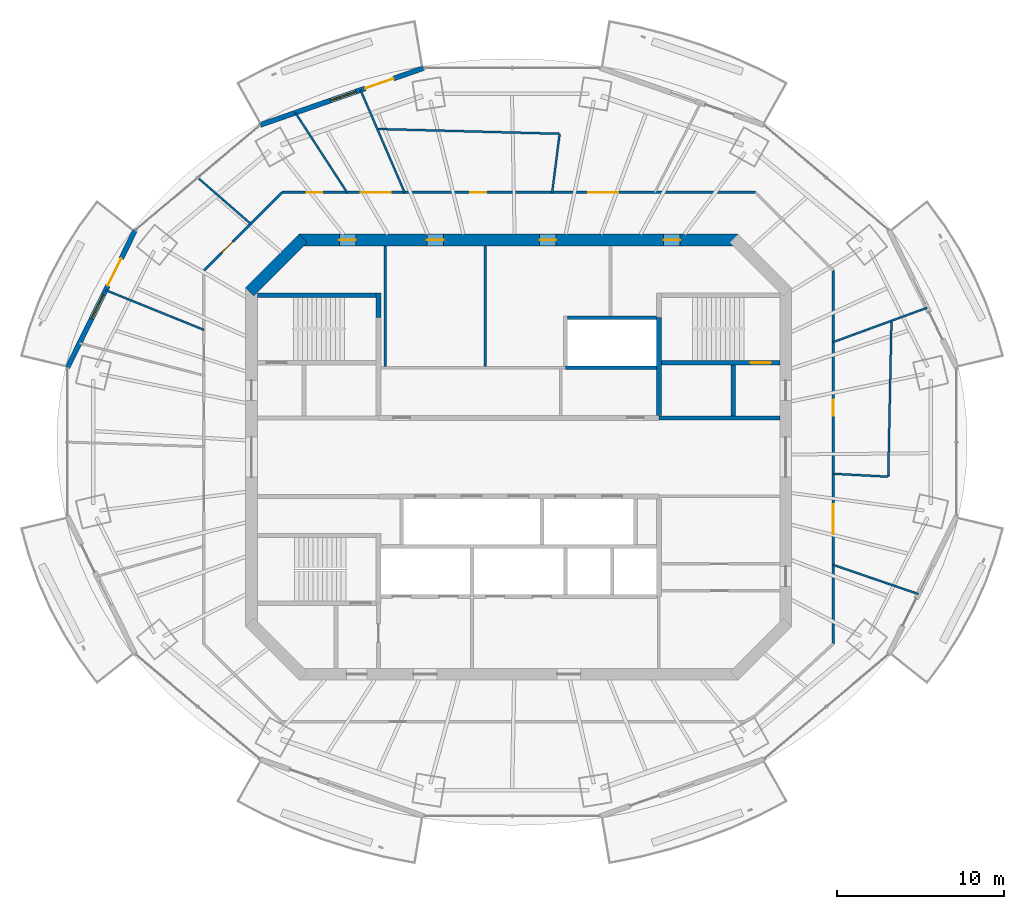
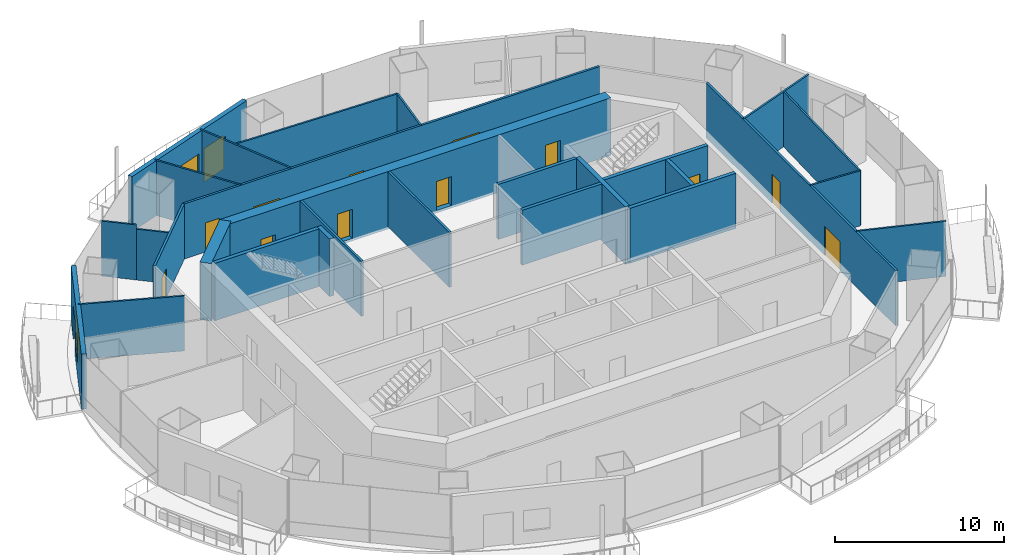
# One storey, part 10 of 16: 28 walls, 14 doors, 2 windows, 16 openings.
"""IFC4 building model written with IfcOpenShell, lengths in metres."""

from ifc_helpers import new_model, si_unit, direction, frame, frame_2d, origin, place, context, subcontext, project, spatial, rectangle, extrude, material, layer, layer_set, type_object, element, fill, save


model = new_model("IFC4")

# Units and contexts
model_context = context("Model", 3, precision=1e-05, world=origin(), true_north=direction((0.0, 1.0)))
body_context = subcontext(model_context, "Body", "Model", "MODEL_VIEW")
ifc_project = project(units=[si_unit("LENGTHUNIT", "METRE"), si_unit("AREAUNIT", "SQUARE_METRE"), si_unit("VOLUMEUNIT", "CUBIC_METRE"), si_unit("PLANEANGLEUNIT", "RADIAN"), si_unit("MASSUNIT", "GRAM", prefix="KILO")], contexts=[model_context])

# Site, building, storey
site_placement = place(None, origin())
site = spatial("IfcSite", under=ifc_project, at=site_placement, CompositionType="ELEMENT")
building_placement = place(site_placement, origin())
building = spatial("IfcBuilding", under=site, at=building_placement, Name="Marenthal Gate Tower", CompositionType="ELEMENT")
storey_placement = place(building_placement, frame((0.0, 0.0, 342.60009765625)))
storey = spatial("IfcBuildingStorey", under=building, at=storey_placement, Name="L77", CompositionType="ELEMENT", Elevation=342.60009765625)

# Wall, openings, doors
ifc_material_1 = material(Name="Concrete 60 MPa", Category="concrete")
ifc_layer_1 = layer(ifc_material_1, 0.699951171875)
ifc_layer_set_1 = layer_set([ifc_layer_1], Name="Core shear wall 700")
wall_type_1 = type_object("IfcWallType", Name="Core shear wall 700", PredefinedType="SHEAR", material=ifc_layer_set_1)
wall_1_placement = place(storey_placement, frame((13.14501953125, 13.0, -0.18017578125), z_axis=(0.0, 0.0, 1.0), x_axis=(-1.0, 0.0, 0.0)))
wall_1 = element("IfcWall", 1, at=wall_1_placement, inside=storey, type_object=wall_type_1, Name="Core wall 04", PredefinedType="SHEAR", context=body_context, shape_type="SweptSolid", body=[
    extrude(rectangle(XDim=26.2900390625, YDim=0.699951171875, at=frame_2d((13.14501953125, 0.0))), origin(), (0.0, 0.0, 1.0), 4.150146484375),
])
opening_1_placement = place(wall_1_placement, frame((22.889892578125, 0.0, 0.179931640625)))
opening_1 = element("IfcOpeningElement", 2, at=opening_1_placement, cuts=wall_1, Name="Opening D005.03", PredefinedType="OPENING", context=body_context, shape_type="SweptSolid", body=[
    extrude(rectangle(XDim=1.0, YDim=2.10009765625, at=frame_2d((0.5, 1.050048828125))), frame((0.0, 0.35986328125, 0.0), z_axis=(0.0, -1.0, 0.0), x_axis=(1.0, 0.0, 0.0)), (0.0, 0.0, 1.0), 0.719970703125),
])
opening_2_placement = place(wall_1_placement, frame((17.64501953125, 0.0, 0.179931640625)))
opening_2 = element("IfcOpeningElement", 3, at=opening_2_placement, cuts=wall_1, Name="Opening D005.04", PredefinedType="OPENING", context=body_context, shape_type="SweptSolid", body=[
    extrude(rectangle(XDim=1.0, YDim=2.10009765625, at=frame_2d((0.5, 1.050048828125))), frame((0.0, 0.35986328125, 0.0), z_axis=(0.0, -1.0, 0.0), x_axis=(1.0, 0.0, 0.0)), (0.0, 0.0, 1.0), 0.719970703125),
])
opening_3_placement = place(wall_1_placement, frame((10.89501953125, 0.0, 0.179931640625)))
opening_3 = element("IfcOpeningElement", 4, at=opening_3_placement, cuts=wall_1, Name="Opening D005.05", PredefinedType="OPENING", context=body_context, shape_type="SweptSolid", body=[
    extrude(rectangle(XDim=1.0, YDim=2.10009765625, at=frame_2d((0.5, 1.050048828125))), frame((0.0, 0.35986328125, 0.0), z_axis=(0.0, -1.0, 0.0), x_axis=(1.0, 0.0, 0.0)), (0.0, 0.0, 1.0), 0.719970703125),
])
opening_4_placement = place(wall_1_placement, frame((3.46728515625, 0.0, 0.179931640625)))
opening_4 = element("IfcOpeningElement", 5, at=opening_4_placement, cuts=wall_1, Name="Opening D005.06", PredefinedType="OPENING", context=body_context, shape_type="SweptSolid", body=[
    extrude(rectangle(XDim=1.0, YDim=2.10009765625, at=frame_2d((0.5, 1.050048828125))), frame((0.0, 0.35986328125, 0.0), z_axis=(0.0, -1.0, 0.0), x_axis=(1.0, 0.0, 0.0)), (0.0, 0.0, 1.0), 0.719970703125),
])
ifc_material_2 = material(Name="Steel fire door", Category="steel")
door_type_1 = type_object("IfcDoorType", Name="Fire door FD 45 1000 x 2100", OperationType="NOTDEFINED", PredefinedType="DOOR", material=ifc_material_2)
door_1_placement = place(opening_1_placement, origin())
door_1 = element("IfcDoor", 6, at=door_1_placement, inside=storey, type_object=door_type_1, Name="Door D005.03", OperationType="SINGLE_SWING_RIGHT", OverallHeight=2.10009765625, OverallWidth=1.0, PredefinedType="DOOR", context=body_context, shape_type="SweptSolid", body=[
    extrude(rectangle(XDim=1.0, YDim=2.10009765625, at=frame_2d((0.5, 1.050048828125))), frame((0.0, 0.02490234375, 0.0), z_axis=(0.0, -1.0, 0.0), x_axis=(1.0, 0.0, 0.0)), (0.0, 0.0, 1.0), 0.050048828125),
])
fill(opening_1, door_1)
door_2_placement = place(opening_2_placement, origin())
door_2 = element("IfcDoor", 7, at=door_2_placement, inside=storey, type_object=door_type_1, Name="Door D005.04", OperationType="SINGLE_SWING_RIGHT", OverallHeight=2.10009765625, OverallWidth=1.0, PredefinedType="DOOR", context=body_context, shape_type="SweptSolid", body=[
    extrude(rectangle(XDim=1.0, YDim=2.10009765625, at=frame_2d((0.5, 1.050048828125))), frame((0.0, 0.02490234375, 0.0), z_axis=(0.0, -1.0, 0.0), x_axis=(1.0, 0.0, 0.0)), (0.0, 0.0, 1.0), 0.050048828125),
])
fill(opening_2, door_2)
door_3_placement = place(opening_3_placement, origin())
door_3 = element("IfcDoor", 8, at=door_3_placement, inside=storey, type_object=door_type_1, Name="Door D005.05", OperationType="SINGLE_SWING_RIGHT", OverallHeight=2.10009765625, OverallWidth=1.0, PredefinedType="DOOR", context=body_context, shape_type="SweptSolid", body=[
    extrude(rectangle(XDim=1.0, YDim=2.10009765625, at=frame_2d((0.5, 1.050048828125))), frame((0.0, 0.02490234375, 0.0), z_axis=(0.0, -1.0, 0.0), x_axis=(1.0, 0.0, 0.0)), (0.0, 0.0, 1.0), 0.050048828125),
])
fill(opening_3, door_3)
door_4_placement = place(opening_4_placement, origin())
door_4 = element("IfcDoor", 9, at=door_4_placement, inside=storey, type_object=door_type_1, Name="Door D005.06", OperationType="SINGLE_SWING_RIGHT", OverallHeight=2.10009765625, OverallWidth=1.0, PredefinedType="DOOR", context=body_context, shape_type="SweptSolid", body=[
    extrude(rectangle(XDim=1.0, YDim=2.10009765625, at=frame_2d((0.5, 1.050048828125))), frame((0.0, 0.02490234375, 0.0), z_axis=(0.0, -1.0, 0.0), x_axis=(1.0, 0.0, 0.0)), (0.0, 0.0, 1.0), 0.050048828125),
])
fill(opening_4, door_4)

# Walls
wall_2_placement = place(storey_placement, frame((-12.8974609375, 13.1025390625, -0.18017578125), z_axis=(0.0, 0.0, 1.0), x_axis=(-0.707106781187, -0.707106781187, 0.0)))
element("IfcWall", 10, at=wall_2_placement, inside=storey, type_object=wall_type_1, Name="Core wall 05", PredefinedType="SHEAR", context=body_context, shape_type="SweptSolid", body=[
    extrude(rectangle(XDim=4.53271484375, YDim=0.699951171875, at=frame_2d((2.266357421875, 0.0))), origin(), (0.0, 0.0, 1.0), 4.150146484375),
])
ifc_material_3 = material(Name="Concrete 50 MPa", Category="concrete")
ifc_layer_2 = layer(ifc_material_3, 0.300048828125)
ifc_layer_set_2 = layer_set([ifc_layer_2], Name="Hoistway shear wall 300")
wall_type_2 = type_object("IfcWallType", Name="Hoistway shear wall 300", PredefinedType="SHEAR", material=ifc_layer_set_2)
wall_3_placement = place(storey_placement, frame((8.39990234375, 2.5, -0.18017578125), z_axis=(0.0, 0.0, 1.0), x_axis=(0.0, 1.0, 0.0)))
element("IfcWall", 11, at=wall_3_placement, inside=storey, type_object=wall_type_2, Name="Hoistway wall 49", PredefinedType="SHEAR", context=body_context, shape_type="SweptSolid", body=[
    extrude(rectangle(XDim=5.85009765625, YDim=0.300048828125, at=frame_2d((2.925048828125, 0.0))), origin(), (0.0, 0.0, 1.0), 4.150146484375),
])
ifc_material_4 = material(Name="Concrete 40 MPa", Category="concrete")
ifc_layer_3 = layer(ifc_material_4, 0.219970703125)
ifc_layer_set_3 = layer_set([ifc_layer_3], Name="Hoistway wall 220")
wall_type_3 = type_object("IfcWallType", Name="Hoistway wall 220", PredefinedType="STANDARD", material=ifc_layer_set_3)
wall_4_placement = place(storey_placement, frame((2.800048828125, 5.35009765625, 0.0), z_axis=(0.0, 0.0, 1.0), x_axis=(1.0, 0.0, 0.0)))
element("IfcWall", 12, at=wall_4_placement, inside=storey, type_object=wall_type_3, Name="Hoistway wall 23", PredefinedType="STANDARD", context=body_context, shape_type="SweptSolid", body=[
    extrude(rectangle(XDim=5.449951171875, YDim=0.219970703125, at=frame_2d((2.72509765625, 0.0))), origin(), (0.0, 0.0, 1.0), 3.969970703125),
])
wall_5_placement = place(storey_placement, frame((2.909912109375, 8.35009765625, 0.0), z_axis=(0.0, 0.0, 1.0), x_axis=(1.0, 0.0, 0.0)))
element("IfcWall", 13, at=wall_5_placement, inside=storey, type_object=wall_type_3, Name="Hoistway wall 26", PredefinedType="STANDARD", context=body_context, shape_type="SweptSolid", body=[
    extrude(rectangle(XDim=5.340087890625, YDim=0.219970703125, at=frame_2d((2.669921875, 0.0))), origin(), (0.0, 0.0, 1.0), 3.969970703125),
])
ifc_material_5 = material(Name="Gypsum board on steel studs", Category="steel")
ifc_layer_4 = layer(ifc_material_5, 0.1201171875)
ifc_layer_set_4 = layer_set([ifc_layer_4], Name="Partition 120")
wall_type_4 = type_object("IfcWallType", Name="Partition 120", PredefinedType="PARTITIONING", material=ifc_layer_set_4)
wall_6_placement = place(storey_placement, frame((-18.85009765625, 7.620361328125, 0.0), z_axis=(0.0, 0.0, 1.0), x_axis=(-0.927102963465, 0.374806743716, 0.0)))
element("IfcWall", 14, at=wall_6_placement, inside=storey, type_object=wall_type_4, Name="Partition wall 56", PredefinedType="PARTITIONING", context=body_context, shape_type="SweptSolid", body=[
    extrude(rectangle(XDim=6.353515625, YDim=0.1201171875, at=frame_2d((3.1767578125, 0.0))), origin(), (0.0, 0.0, 1.0), 3.969970703125),
])
wall_7_placement = place(storey_placement, frame((-16.053466796875, 13.97705078125, 0.0), z_axis=(0.0, 0.0, 1.0), x_axis=(-0.75419723109, 0.656647954856, 0.0)))
element("IfcWall", 15, at=wall_7_placement, inside=storey, type_object=wall_type_4, Name="Partition wall 58", PredefinedType="PARTITIONING", context=body_context, shape_type="SweptSolid", body=[
    extrude(rectangle(XDim=2.124755859375, YDim=0.1201171875, at=frame_2d((1.0625, 0.0))), origin(), (0.0, 0.0, 1.0), 3.66796875),
])
wall_8_placement = place(storey_placement, frame((-17.656005859375, 15.372314453125, 0.0), z_axis=(0.0, 0.0, 1.0), x_axis=(-0.754191956922, 0.656654012486, 0.0)))
element("IfcWall", 16, at=wall_8_placement, inside=storey, type_object=wall_type_4, Name="Partition wall 75", PredefinedType="PARTITIONING", context=body_context, shape_type="SweptSolid", body=[
    extrude(rectangle(XDim=2.0849609375, YDim=0.1201171875, at=frame_2d((1.04248046875, 0.0))), origin(), (0.0, 0.0, 1.0), 3.969970703125),
])
wall_9_placement = place(storey_placement, frame((-10.27783203125, 15.85009765625, 0.0), z_axis=(0.0, 0.0, 1.0), x_axis=(-0.544086684893, 0.839029009822, 0.0)))
element("IfcWall", 17, at=wall_9_placement, inside=storey, type_object=wall_type_4, Name="Partition wall 61", PredefinedType="PARTITIONING", context=body_context, shape_type="SweptSolid", body=[
    extrude(rectangle(XDim=5.693359375, YDim=0.1201171875, at=frame_2d((2.8466796875, 0.0))), origin(), (0.0, 0.0, 1.0), 3.969970703125),
])
wall_10_placement = place(storey_placement, frame((-6.82958984375, 15.85009765625, 0.0), z_axis=(0.0, 0.0, 1.0), x_axis=(-0.39569122033, 0.918383611654, 0.0)))
element("IfcWall", 18, at=wall_10_placement, inside=storey, type_object=wall_type_4, Name="Partition wall 62", PredefinedType="PARTITIONING", context=body_context, shape_type="SweptSolid", body=[
    extrude(rectangle(XDim=6.68212890625, YDim=0.1201171875, at=frame_2d((3.341064453125, 0.0))), origin(), (0.0, 0.0, 1.0), 3.969970703125),
])
wall_11_placement = place(storey_placement, frame((2.45263671875, 19.367431640625, 0.0), z_axis=(0.0, 0.0, 1.0), x_axis=(-0.999654058519, 0.026301393246, 0.0)))
element("IfcWall", 19, at=wall_11_placement, inside=storey, type_object=wall_type_4, Name="Partition wall 63", PredefinedType="PARTITIONING", context=body_context, shape_type="SweptSolid", body=[
    extrude(rectangle(XDim=10.92529296875, YDim=0.1201171875, at=frame_2d((5.462646484375, 0.0))), origin(), (0.0, 0.0, 1.0), 3.969970703125),
])
wall_12_placement = place(storey_placement, frame((2.45263671875, 19.367431640625, 0.0), z_axis=(0.0, 0.0, 1.0), x_axis=(-0.125670265883, -0.992072066068, 0.0)))
element("IfcWall", 20, at=wall_12_placement, inside=storey, type_object=wall_type_4, Name="Partition wall 64", PredefinedType="PARTITIONING", context=body_context, shape_type="SweptSolid", body=[
    extrude(rectangle(XDim=3.54541015625, YDim=0.1201171875, at=frame_2d((1.772705078125, 0.0))), origin(), (0.0, 0.0, 1.0), 3.969970703125),
])
wall_13_placement = place(storey_placement, frame((18.85009765625, -6.457763671875, 0.0), z_axis=(0.0, 0.0, 1.0), x_axis=(0.946023473626, -0.32409811377, 0.0)))
element("IfcWall", 21, at=wall_13_placement, inside=storey, type_object=wall_type_4, Name="Partition wall 70", PredefinedType="PARTITIONING", context=body_context, shape_type="SweptSolid", body=[
    extrude(rectangle(XDim=5.380859375, YDim=0.1201171875, at=frame_2d((2.6904296875, 0.0))), origin(), (0.0, 0.0, 1.0), 3.969970703125),
])
wall_14_placement = place(storey_placement, frame((18.85009765625, 6.893310546875, 0.0), z_axis=(0.0, 0.0, 1.0), x_axis=(0.939166586635, 0.34346196667, 0.0)))
element("IfcWall", 22, at=wall_14_placement, inside=storey, type_object=wall_type_4, Name="Partition wall 71", PredefinedType="PARTITIONING", context=body_context, shape_type="SweptSolid", body=[
    extrude(rectangle(XDim=5.973876953125, YDim=0.1201171875, at=frame_2d((2.98681640625, 0.0))), origin(), (0.0, 0.0, 1.0), 3.969970703125),
])
wall_15_placement = place(storey_placement, frame((22.13671875, -1.1728515625, 0.0), z_axis=(0.0, 0.0, 1.0), x_axis=(0.020545219347, 0.999788924705, 0.0)))
element("IfcWall", 23, at=wall_15_placement, inside=storey, type_object=wall_type_4, Name="Partition wall 73", PredefinedType="PARTITIONING", context=body_context, shape_type="SweptSolid", body=[
    extrude(rectangle(XDim=9.340087890625, YDim=0.1201171875, at=frame_2d((4.669921875, 0.0))), origin(), (0.0, 0.0, 1.0), 3.969970703125),
])
wall_16_placement = place(storey_placement, frame((22.13671875, -1.1728515625, 0.0), z_axis=(0.0, 0.0, 1.0), x_axis=(-0.99860035673, 0.052889767817, 0.0)))
element("IfcWall", 24, at=wall_16_placement, inside=storey, type_object=wall_type_4, Name="Partition wall 74", PredefinedType="PARTITIONING", context=body_context, shape_type="SweptSolid", body=[
    extrude(rectangle(XDim=3.291259765625, YDim=0.1201171875, at=frame_2d((1.6455078125, 0.0))), origin(), (0.0, 0.0, 1.0), 3.969970703125),
])
ifc_material_6 = material(Name="Gypsum board on steel studs", Category="steel")
ifc_layer_5 = layer(ifc_material_6, 0.14990234375)
ifc_layer_set_5 = layer_set([ifc_layer_5], Name="Partition 150")
wall_type_5 = type_object("IfcWallType", Name="Partition 150", PredefinedType="PARTITIONING", material=ifc_layer_set_5)
for number, where, z_axis, x_axis, name in (
    (25, (-8.0, 5.425048828125, 0.0), (0.0, 0.0, 1.0), (0.0, 1.0, 0.0), "Partition wall 35"),
    (26, (-2.0, 5.425048828125, 0.0), (0.0, 0.0, 1.0), (0.0, 1.0, 0.0), "Partition wall 39"),
):
    element("IfcWall", number, at=place(storey_placement, frame(where, z_axis=z_axis, x_axis=x_axis)), inside=storey, type_object=wall_type_5, Name=name, PredefinedType="PARTITIONING", context=body_context, shape_type="SweptSolid", body=[
        extrude(rectangle(XDim=7.224853515625, YDim=0.14990234375, at=frame_2d((3.6123046875, 0.0))), origin(), (0.0, 0.0, 1.0), 3.969970703125),
    ])

# Wall, opening, door
wall_17_placement = place(storey_placement, frame((-18.85009765625, 11.180419921875, 0.0), z_axis=(0.0, 0.0, 1.0), x_axis=(0.707106781187, 0.707106781187, 0.0)))
wall_17 = element("IfcWall", 27, at=wall_17_placement, inside=storey, type_object=wall_type_5, Name="Partition wall 57", PredefinedType="PARTITIONING", context=body_context, shape_type="SweptSolid", body=[
    extrude(rectangle(XDim=6.60400390625, YDim=0.14990234375, at=frame_2d((3.302001953125, 0.0))), origin(), (0.0, 0.0, 1.0), 3.969970703125),
])
opening_5_placement = place(wall_17_placement, frame((1.5029296875, 0.0, 0.0)))
opening_5 = element("IfcOpeningElement", 28, at=opening_5_placement, cuts=wall_17, Name="Opening D016.03", PredefinedType="OPENING", context=body_context, shape_type="SweptSolid", body=[
    extrude(rectangle(XDim=0.949951171875, YDim=2.10009765625, at=frame_2d((0.47509765625, 1.050048828125))), frame((0.0, 0.0849609375, 0.0), z_axis=(0.0, -1.0, 0.0), x_axis=(1.0, 0.0, 0.0)), (0.0, 0.0, 1.0), 0.169921875),
])
ifc_material_7 = material(Name="Timber door", Category="wood")
door_type_2 = type_object("IfcDoorType", Name="Door 950 x 2100", OperationType="NOTDEFINED", PredefinedType="DOOR", material=ifc_material_7)
door_5_placement = place(opening_5_placement, origin())
door_5 = element("IfcDoor", 29, at=door_5_placement, inside=storey, type_object=door_type_2, Name="Door D016.03", OperationType="SINGLE_SWING_RIGHT", OverallHeight=2.10009765625, OverallWidth=0.949951171875, PredefinedType="DOOR", context=body_context, shape_type="SweptSolid", body=[
    extrude(rectangle(XDim=0.949951171875, YDim=2.10009765625, at=frame_2d((0.47509765625, 1.050048828125))), frame((0.0, 0.02490234375, 0.0), z_axis=(0.0, -1.0, 0.0), x_axis=(1.0, 0.0, 0.0)), (0.0, 0.0, 1.0), 0.050048828125),
])
fill(opening_5, door_5)

# Wall, openings, doors
wall_18_placement = place(storey_placement, frame((-14.180419921875, 15.85009765625, 0.0), z_axis=(0.0, 0.0, 1.0), x_axis=(1.0, 0.0, 0.0)))
wall_18 = element("IfcWall", 30, at=wall_18_placement, inside=storey, type_object=wall_type_5, Name="Partition wall 60", PredefinedType="PARTITIONING", context=body_context, shape_type="SweptSolid", body=[
    extrude(rectangle(XDim=28.36083984375, YDim=0.14990234375, at=frame_2d((14.180419921875, 0.0))), origin(), (0.0, 0.0, 1.0), 3.969970703125),
])
opening_6_placement = place(wall_18_placement, frame((11.2939453125, 0.0, 0.0)))
opening_6 = element("IfcOpeningElement", 31, at=opening_6_placement, cuts=wall_18, Name="Opening D016.01", PredefinedType="OPENING", context=body_context, shape_type="SweptSolid", body=[
    extrude(rectangle(XDim=0.949951171875, YDim=2.10009765625, at=frame_2d((0.47509765625, 1.050048828125))), frame((0.0, 0.0849609375, 0.0), z_axis=(0.0, -1.0, 0.0), x_axis=(1.0, 0.0, 0.0)), (0.0, 0.0, 1.0), 0.169921875),
])
opening_7_placement = place(wall_18_placement, frame((18.35888671875, 0.0, 0.0)))
opening_7 = element("IfcOpeningElement", 32, at=opening_7_placement, cuts=wall_18, Name="Opening D014.02", PredefinedType="OPENING", context=body_context, shape_type="SweptSolid", body=[
    extrude(rectangle(XDim=1.800048828125, YDim=2.10009765625, at=frame_2d((0.89990234375, 1.050048828125))), frame((0.0, 0.0849609375, 0.0), z_axis=(0.0, -1.0, 0.0), x_axis=(1.0, 0.0, 0.0)), (0.0, 0.0, 1.0), 0.169921875),
])
opening_8_placement = place(wall_18_placement, frame((4.72705078125, 0.0, 0.0)))
opening_8 = element("IfcOpeningElement", 33, at=opening_8_placement, cuts=wall_18, Name="Opening D014.03", PredefinedType="OPENING", context=body_context, shape_type="SweptSolid", body=[
    extrude(rectangle(XDim=1.800048828125, YDim=2.10009765625, at=frame_2d((0.89990234375, 1.050048828125))), frame((0.0, 0.0849609375, 0.0), z_axis=(0.0, -1.0, 0.0), x_axis=(1.0, 0.0, 0.0)), (0.0, 0.0, 1.0), 0.169921875),
])
opening_9_placement = place(wall_18_placement, frame((1.47607421875, 0.0, 0.0)))
opening_9 = element("IfcOpeningElement", 34, at=opening_9_placement, cuts=wall_18, Name="Opening D016.02", PredefinedType="OPENING", context=body_context, shape_type="SweptSolid", body=[
    extrude(rectangle(XDim=0.949951171875, YDim=2.10009765625, at=frame_2d((0.47509765625, 1.050048828125))), frame((0.0, 0.0849609375, 0.0), z_axis=(0.0, -1.0, 0.0), x_axis=(1.0, 0.0, 0.0)), (0.0, 0.0, 1.0), 0.169921875),
])
door_6_placement = place(opening_6_placement, origin())
door_6 = element("IfcDoor", 35, at=door_6_placement, inside=storey, type_object=door_type_2, Name="Door D016.01", OperationType="SINGLE_SWING_RIGHT", OverallHeight=2.10009765625, OverallWidth=0.949951171875, PredefinedType="DOOR", context=body_context, shape_type="SweptSolid", body=[
    extrude(rectangle(XDim=0.949951171875, YDim=2.10009765625, at=frame_2d((0.47509765625, 1.050048828125))), frame((0.0, 0.02490234375, 0.0), z_axis=(0.0, -1.0, 0.0), x_axis=(1.0, 0.0, 0.0)), (0.0, 0.0, 1.0), 0.050048828125),
])
fill(opening_6, door_6)
door_7_placement = place(opening_9_placement, origin())
door_7 = element("IfcDoor", 36, at=door_7_placement, inside=storey, type_object=door_type_2, Name="Door D016.02", OperationType="SINGLE_SWING_RIGHT", OverallHeight=2.10009765625, OverallWidth=0.949951171875, PredefinedType="DOOR", context=body_context, shape_type="SweptSolid", body=[
    extrude(rectangle(XDim=0.949951171875, YDim=2.10009765625, at=frame_2d((0.47509765625, 1.050048828125))), frame((0.0, 0.02490234375, 0.0), z_axis=(0.0, -1.0, 0.0), x_axis=(1.0, 0.0, 0.0)), (0.0, 0.0, 1.0), 0.050048828125),
])
fill(opening_9, door_7)
ifc_material_8 = material(Name="Timber door", Category="wood")
door_type_3 = type_object("IfcDoorType", Name="Double door 1800 x 2100", OperationType="DOUBLE_DOOR_SINGLE_SWING", PredefinedType="DOOR", material=ifc_material_8)
door_8_placement = place(opening_7_placement, origin())
door_8 = element("IfcDoor", 37, at=door_8_placement, inside=storey, type_object=door_type_3, Name="Door D014.02", OperationType="DOUBLE_DOOR_SINGLE_SWING", OverallHeight=2.10009765625, OverallWidth=1.800048828125, PredefinedType="DOOR", context=body_context, shape_type="SweptSolid", body=[
    extrude(rectangle(XDim=1.800048828125, YDim=2.10009765625, at=frame_2d((0.89990234375, 1.050048828125))), frame((0.0, 0.02490234375, 0.0), z_axis=(0.0, -1.0, 0.0), x_axis=(1.0, 0.0, 0.0)), (0.0, 0.0, 1.0), 0.050048828125),
])
fill(opening_7, door_8)
door_9_placement = place(opening_8_placement, origin())
door_9 = element("IfcDoor", 38, at=door_9_placement, inside=storey, type_object=door_type_3, Name="Door D014.03", OperationType="DOUBLE_DOOR_SINGLE_SWING", OverallHeight=2.10009765625, OverallWidth=1.800048828125, PredefinedType="DOOR", context=body_context, shape_type="SweptSolid", body=[
    extrude(rectangle(XDim=1.800048828125, YDim=2.10009765625, at=frame_2d((0.89990234375, 1.050048828125))), frame((0.0, 0.02490234375, 0.0), z_axis=(0.0, -1.0, 0.0), x_axis=(1.0, 0.0, 0.0)), (0.0, 0.0, 1.0), 0.050048828125),
])
fill(opening_8, door_9)

wall_19_placement = place(storey_placement, frame((18.85009765625, 11.180419921875, 0.0), z_axis=(0.0, 0.0, 1.0), x_axis=(0.0, -1.0, 0.0)))
wall_19 = element("IfcWall", 39, at=wall_19_placement, inside=storey, type_object=wall_type_5, Name="Partition wall 72", PredefinedType="PARTITIONING", context=body_context, shape_type="SweptSolid", body=[
    extrude(rectangle(XDim=22.36083984375, YDim=0.14990234375, at=frame_2d((11.180419921875, 0.0))), origin(), (0.0, 0.0, 1.0), 3.969970703125),
])
opening_10_placement = place(wall_19_placement, frame((7.759033203125, 0.0, 0.0)))
opening_10 = element("IfcOpeningElement", 40, at=opening_10_placement, cuts=wall_19, Name="Opening D016.07", PredefinedType="OPENING", context=body_context, shape_type="SweptSolid", body=[
    extrude(rectangle(XDim=0.949951171875, YDim=2.10009765625, at=frame_2d((0.47509765625, 1.050048828125))), frame((0.0, 0.0849609375, 0.0), z_axis=(0.0, -1.0, 0.0), x_axis=(1.0, 0.0, 0.0)), (0.0, 0.0, 1.0), 0.169921875),
])
opening_11_placement = place(wall_19_placement, frame((14.009033203125, 0.0, 0.0)))
opening_11 = element("IfcOpeningElement", 41, at=opening_11_placement, cuts=wall_19, Name="Opening D014.05", PredefinedType="OPENING", context=body_context, shape_type="SweptSolid", body=[
    extrude(rectangle(XDim=1.800048828125, YDim=2.10009765625, at=frame_2d((0.89990234375, 1.050048828125))), frame((0.0, 0.0849609375, 0.0), z_axis=(0.0, -1.0, 0.0), x_axis=(1.0, 0.0, 0.0)), (0.0, 0.0, 1.0), 0.169921875),
])
door_10_placement = place(opening_10_placement, origin())
door_10 = element("IfcDoor", 42, at=door_10_placement, inside=storey, type_object=door_type_2, Name="Door D016.07", OperationType="SINGLE_SWING_RIGHT", OverallHeight=2.10009765625, OverallWidth=0.949951171875, PredefinedType="DOOR", context=body_context, shape_type="SweptSolid", body=[
    extrude(rectangle(XDim=0.949951171875, YDim=2.10009765625, at=frame_2d((0.47509765625, 1.050048828125))), frame((0.0, 0.02490234375, 0.0), z_axis=(0.0, -1.0, 0.0), x_axis=(1.0, 0.0, 0.0)), (0.0, 0.0, 1.0), 0.050048828125),
])
fill(opening_10, door_10)
door_11_placement = place(opening_11_placement, origin())
door_11 = element("IfcDoor", 43, at=door_11_placement, inside=storey, type_object=door_type_3, Name="Door D014.05", OperationType="DOUBLE_DOOR_SINGLE_SWING", OverallHeight=2.10009765625, OverallWidth=1.800048828125, PredefinedType="DOOR", context=body_context, shape_type="SweptSolid", body=[
    extrude(rectangle(XDim=1.800048828125, YDim=2.10009765625, at=frame_2d((0.89990234375, 1.050048828125))), frame((0.0, 0.02490234375, 0.0), z_axis=(0.0, -1.0, 0.0), x_axis=(1.0, 0.0, 0.0)), (0.0, 0.0, 1.0), 0.050048828125),
])
fill(opening_11, door_11)

# Walls
ifc_material_9 = material(Name="Concrete 40 MPa", Category="concrete")
ifc_layer_6 = layer(ifc_material_9, 0.25)
ifc_layer_set_6 = layer_set([ifc_layer_6], Name="Stair enclosure wall 250")
wall_type_6 = type_object("IfcWallType", Name="Stair enclosure wall 250", PredefinedType="STANDARD", material=ifc_layer_set_6)
wall_20_placement = place(storey_placement, frame((8.39990234375, 2.35009765625, 0.0), z_axis=(0.0, 0.0, 1.0), x_axis=(1.0, 0.0, 0.0)))
element("IfcWall", 44, at=wall_20_placement, inside=storey, type_object=wall_type_6, Name="Stair wall 21", PredefinedType="STANDARD", context=body_context, shape_type="SweptSolid", body=[
    extrude(rectangle(XDim=7.25, YDim=0.25, at=frame_2d((3.625, 0.0))), origin(), (0.0, 0.0, 1.0), 3.969970703125),
])
wall_21_placement = place(storey_placement, frame((12.85009765625, 2.47509765625, 0.0), z_axis=(0.0, 0.0, 1.0), x_axis=(0.0, 1.0, 0.0)))
element("IfcWall", 45, at=wall_21_placement, inside=storey, type_object=wall_type_6, Name="Stair wall 51", PredefinedType="STANDARD", context=body_context, shape_type="SweptSolid", body=[
    extrude(rectangle(XDim=3.0498046875, YDim=0.25, at=frame_2d((1.52490234375, 0.0))), origin(), (0.0, 0.0, 1.0), 3.969970703125),
])

# Wall, opening, door
ifc_material_10 = material(Name="Concrete 50 MPa", Category="concrete")
ifc_layer_7 = layer(ifc_material_10, 0.25)
ifc_layer_set_7 = layer_set([ifc_layer_7], Name="Stair shear wall 250")
wall_type_7 = type_object("IfcWallType", Name="Stair shear wall 250", PredefinedType="SHEAR", material=ifc_layer_set_7)
wall_22_placement = place(storey_placement, frame((8.550048828125, 5.64990234375, -0.18017578125), z_axis=(0.0, 0.0, 1.0), x_axis=(1.0, 0.0, 0.0)))
wall_22 = element("IfcWall", 46, at=wall_22_placement, inside=storey, type_object=wall_type_7, Name="Stair wall 25", PredefinedType="SHEAR", context=body_context, shape_type="SweptSolid", body=[
    extrude(rectangle(XDim=7.099853515625, YDim=0.25, at=frame_2d((3.5498046875, 0.0))), origin(), (0.0, 0.0, 1.0), 4.150146484375),
])
opening_12_placement = place(wall_22_placement, frame((5.35009765625, 0.0, 0.179931640625)))
opening_12 = element("IfcOpeningElement", 47, at=opening_12_placement, cuts=wall_22, Name="Opening D001.02", PredefinedType="OPENING", context=body_context, shape_type="SweptSolid", body=[
    extrude(rectangle(XDim=1.199951171875, YDim=2.10009765625, at=frame_2d((0.60009765625, 1.050048828125))), frame((0.0, 0.135009765625, 0.0), z_axis=(0.0, -1.0, 0.0), x_axis=(1.0, 0.0, 0.0)), (0.0, 0.0, 1.0), 0.27001953125),
])
ifc_material_11 = material(Name="Steel fire door", Category="steel")
door_type_4 = type_object("IfcDoorType", Name="Fire door FD 90 1200 x 2100", OperationType="NOTDEFINED", PredefinedType="DOOR", material=ifc_material_11)
door_12_placement = place(opening_12_placement, origin())
door_12 = element("IfcDoor", 48, at=door_12_placement, inside=storey, type_object=door_type_4, Name="Door D001.02", OperationType="SINGLE_SWING_RIGHT", OverallHeight=2.10009765625, OverallWidth=1.199951171875, PredefinedType="DOOR", context=body_context, shape_type="SweptSolid", body=[
    extrude(rectangle(XDim=1.199951171875, YDim=2.10009765625, at=frame_2d((0.60009765625, 1.050048828125))), frame((0.0, 0.02490234375, 0.0), z_axis=(0.0, -1.0, 0.0), x_axis=(1.0, 0.0, 0.0)), (0.0, 0.0, 1.0), 0.050048828125),
])
fill(opening_12, door_12)

# Walls
wall_23_placement = place(storey_placement, frame((-15.64990234375, 9.699951171875, -0.18017578125), z_axis=(0.0, 0.0, 1.0), x_axis=(1.0, 0.0, 0.0)))
element("IfcWall", 49, at=wall_23_placement, inside=storey, type_object=wall_type_7, Name="Stair wall 27", PredefinedType="SHEAR", context=body_context, shape_type="SweptSolid", body=[
    extrude(rectangle(XDim=7.099853515625, YDim=0.25, at=frame_2d((3.5498046875, 0.0))), origin(), (0.0, 0.0, 1.0), 4.150146484375),
])
ifc_material_12 = material(Name="Concrete 50 MPa", Category="concrete")
ifc_layer_8 = layer(ifc_material_12, 0.300048828125)
ifc_layer_set_8 = layer_set([ifc_layer_8], Name="Stair shear wall 300")
wall_type_8 = type_object("IfcWallType", Name="Stair shear wall 300", PredefinedType="SHEAR", material=ifc_layer_set_8)
wall_24_placement = place(storey_placement, frame((-8.39990234375, 8.35009765625, -0.18017578125), z_axis=(0.0, 0.0, 1.0), x_axis=(0.0, 1.0, 0.0)))
element("IfcWall", 50, at=wall_24_placement, inside=storey, type_object=wall_type_8, Name="Stair wall 34", PredefinedType="SHEAR", context=body_context, shape_type="SweptSolid", body=[
    extrude(rectangle(XDim=1.474853515625, YDim=0.300048828125, at=frame_2d((0.7373046875, 0.0))), origin(), (0.0, 0.0, 1.0), 4.150146484375),
])

# Wall, openings, door, window
ifc_material_13 = material(Name="Terracotta cladding on insulated concrete-block backing", Category="masonry")
ifc_layer_9 = layer(ifc_material_13, 0.300048828125)
ifc_layer_set_9 = layer_set([ifc_layer_9], Name="Terracotta facade wall 300")
wall_type_9 = type_object("IfcWallType", Name="Terracotta facade wall 300", PredefinedType="SOLIDWALL", material=ifc_layer_set_9)
wall_25_placement = place(storey_placement, frame((-5.696533203125, 23.302978515625, 0.0), z_axis=(0.0, 0.0, 1.0), x_axis=(-0.944298954957, -0.32908886895, 0.0)))
wall_25 = element("IfcWall", 51, at=wall_25_placement, inside=storey, type_object=wall_type_9, Name="Terracotta facade wall L77 bay 5", PredefinedType="SOLIDWALL", context=body_context, shape_type="SweptSolid", body=[
    extrude(rectangle(XDim=10.364013671875, YDim=0.300048828125, at=frame_2d((5.18212890625, 0.0))), origin(), (0.0, 0.0, 1.0), 3.969970703125),
])
opening_13_placement = place(wall_25_placement, frame((1.89990234375, 0.0, 0.0)))
opening_13 = element("IfcOpeningElement", 52, at=opening_13_placement, cuts=wall_25, Name="Opening BD-L77-05", PredefinedType="OPENING", context=body_context, shape_type="SweptSolid", body=[
    extrude(rectangle(XDim=1.800048828125, YDim=2.39990234375, at=frame_2d((0.89990234375, 1.199951171875))), frame((0.0, 0.16015625, 0.0), z_axis=(0.0, -1.0, 0.0), x_axis=(1.0, 0.0, 0.0)), (0.0, 0.0, 1.0), 0.320068359375),
])
opening_14_placement = place(wall_25_placement, frame((4.300048828125, 0.0, 0.89990234375)))
opening_14 = element("IfcOpeningElement", 53, at=opening_14_placement, cuts=wall_25, Name="Opening WN3-L77-05", PredefinedType="OPENING", context=body_context, shape_type="SweptSolid", body=[
    extrude(rectangle(XDim=1.60009765625, YDim=1.5, at=frame_2d((0.800048828125, 0.75))), frame((0.0, 0.16015625, 0.0), z_axis=(0.0, -1.0, 0.0), x_axis=(1.0, 0.0, 0.0)), (0.0, 0.0, 1.0), 0.320068359375),
])
ifc_material_14 = material(Name="Aluminium and glass", Category="aluminium")
door_type_5 = type_object("IfcDoorType", Name="Balcony door 1800x2400", OperationType="DOUBLE_DOOR_SINGLE_SWING", PredefinedType="DOOR", material=ifc_material_14)
door_13_placement = place(opening_13_placement, origin())
door_13 = element("IfcDoor", 54, at=door_13_placement, inside=storey, type_object=door_type_5, Name="Balcony door L77 bay 5", OperationType="SINGLE_SWING_LEFT", OverallHeight=2.39990234375, OverallWidth=1.800048828125, PredefinedType="DOOR", context=body_context, shape_type="SweptSolid", body=[
    extrude(rectangle(XDim=1.800048828125, YDim=2.39990234375, at=frame_2d((0.89990234375, 1.199951171875))), frame((0.0, 0.02490234375, 0.0), z_axis=(0.0, -1.0, 0.0), x_axis=(1.0, 0.0, 0.0)), (0.0, 0.0, 1.0), 0.050048828125),
])
fill(opening_13, door_13)
ifc_material_15 = material(Name="Aluminium and glass", Category="aluminium")
window_type = type_object("IfcWindowType", Name="Window 1600x1500", PartitioningType="DOUBLE_PANEL_VERTICAL", PredefinedType="WINDOW", material=ifc_material_15)
window_1_placement = place(opening_14_placement, origin())
window_1 = element("IfcWindow", 55, at=window_1_placement, inside=storey, type_object=window_type, Name="Window L77 bay 5", OverallHeight=1.5, OverallWidth=1.60009765625, PartitioningType="SINGLE_PANEL", PredefinedType="WINDOW", context=body_context, shape_type="SweptSolid", body=[
    extrude(rectangle(XDim=1.60009765625, YDim=1.5, at=frame_2d((0.800048828125, 0.75))), frame((0.0, 0.030029296875, 0.0), z_axis=(0.0, -1.0, 0.0), x_axis=(1.0, 0.0, 0.0)), (0.0, 0.0, 1.0), 0.06005859375),
])
fill(opening_14, window_1)

wall_26_placement = place(storey_placement, frame((-22.9736328125, 13.59033203125, 0.0), z_axis=(0.0, 0.0, 1.0), x_axis=(-0.441682707494, -0.89717132472, 0.0)))
wall_26 = element("IfcWall", 56, at=wall_26_placement, inside=storey, type_object=wall_type_9, Name="Terracotta facade wall L77 bay 7", PredefinedType="SOLIDWALL", context=body_context, shape_type="SweptSolid", body=[
    extrude(rectangle(XDim=9.177978515625, YDim=0.300048828125, at=frame_2d((4.5888671875, 0.0))), origin(), (0.0, 0.0, 1.0), 3.969970703125),
])
opening_15_placement = place(wall_26_placement, frame((1.89990234375, 0.0, 0.0)))
opening_15 = element("IfcOpeningElement", 57, at=opening_15_placement, cuts=wall_26, Name="Opening BD-L77-07", PredefinedType="OPENING", context=body_context, shape_type="SweptSolid", body=[
    extrude(rectangle(XDim=1.800048828125, YDim=2.39990234375, at=frame_2d((0.89990234375, 1.199951171875))), frame((0.0, 0.16015625, 0.0), z_axis=(0.0, -1.0, 0.0), x_axis=(1.0, 0.0, 0.0)), (0.0, 0.0, 1.0), 0.320068359375),
])
opening_16_placement = place(wall_26_placement, frame((4.300048828125, 0.0, 0.89990234375)))
opening_16 = element("IfcOpeningElement", 58, at=opening_16_placement, cuts=wall_26, Name="Opening WN3-L77-07", PredefinedType="OPENING", context=body_context, shape_type="SweptSolid", body=[
    extrude(rectangle(XDim=1.60009765625, YDim=1.5, at=frame_2d((0.800048828125, 0.75))), frame((0.0, 0.16015625, 0.0), z_axis=(0.0, -1.0, 0.0), x_axis=(1.0, 0.0, 0.0)), (0.0, 0.0, 1.0), 0.320068359375),
])
door_14_placement = place(opening_15_placement, origin())
door_14 = element("IfcDoor", 59, at=door_14_placement, inside=storey, type_object=door_type_5, Name="Balcony door L77 bay 7", OperationType="SINGLE_SWING_LEFT", OverallHeight=2.39990234375, OverallWidth=1.800048828125, PredefinedType="DOOR", context=body_context, shape_type="SweptSolid", body=[
    extrude(rectangle(XDim=1.800048828125, YDim=2.39990234375, at=frame_2d((0.89990234375, 1.199951171875))), frame((0.0, 0.02490234375, 0.0), z_axis=(0.0, -1.0, 0.0), x_axis=(1.0, 0.0, 0.0)), (0.0, 0.0, 1.0), 0.050048828125),
])
fill(opening_15, door_14)
window_2_placement = place(opening_16_placement, origin())
window_2 = element("IfcWindow", 60, at=window_2_placement, inside=storey, type_object=window_type, Name="Window L77 bay 7", OverallHeight=1.5, OverallWidth=1.60009765625, PartitioningType="SINGLE_PANEL", PredefinedType="WINDOW", context=body_context, shape_type="SweptSolid", body=[
    extrude(rectangle(XDim=1.60009765625, YDim=1.5, at=frame_2d((0.800048828125, 0.75))), frame((0.0, 0.030029296875, 0.0), z_axis=(0.0, -1.0, 0.0), x_axis=(1.0, 0.0, 0.0)), (0.0, 0.0, 1.0), 0.06005859375),
])
fill(opening_16, window_2)

save(model, "model.ifc")
